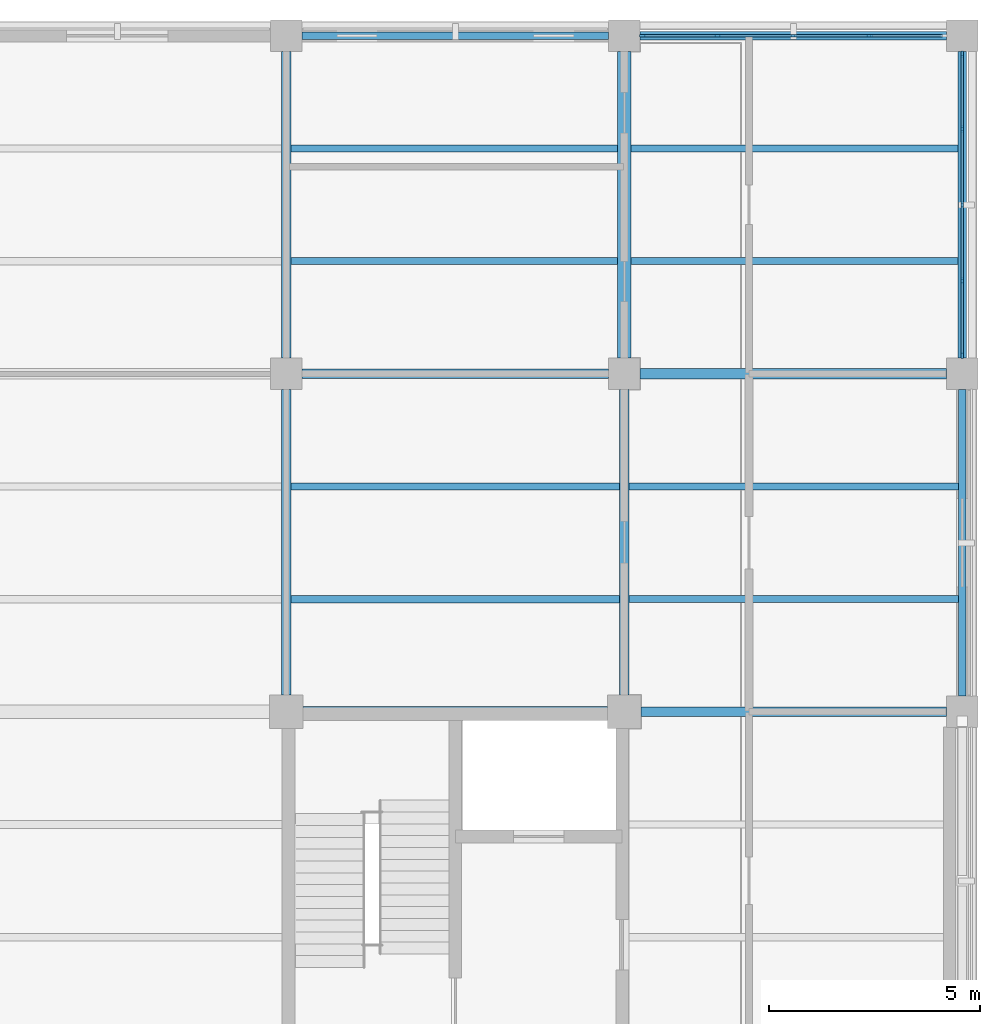
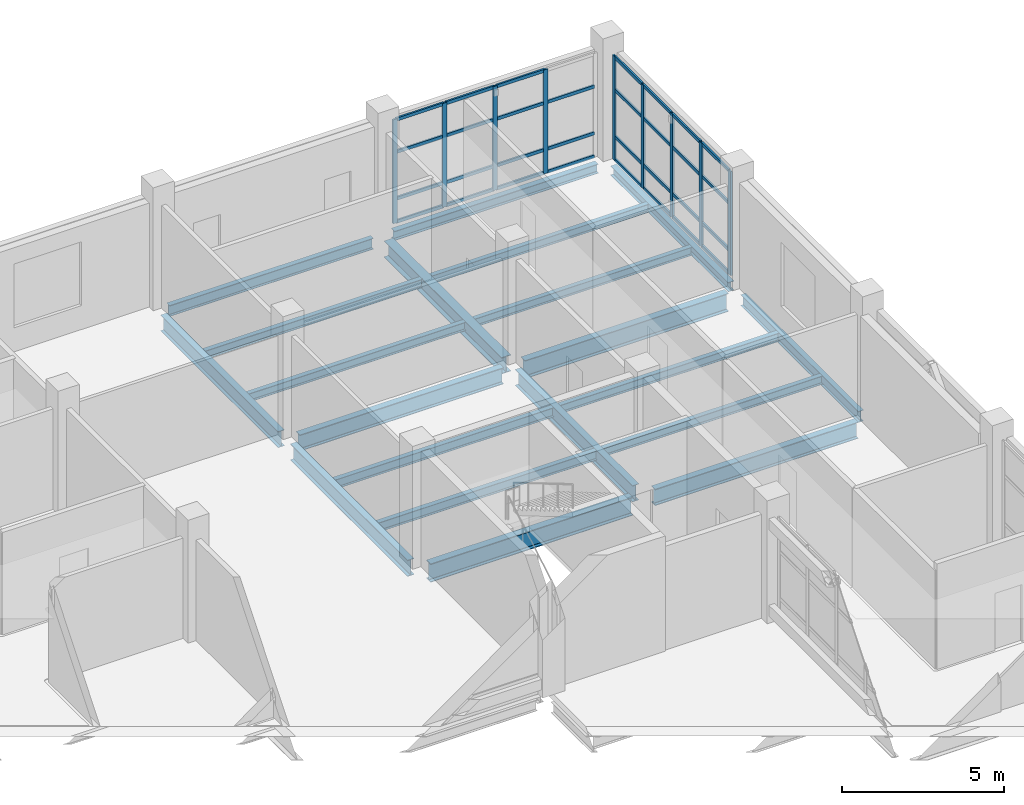
# One storey, part 58 of 121: 40 members, 20 beams, 2 elements without a shape of their own.
"""IFC4 building model written with IfcOpenShell, lengths in metres."""

from ifc_helpers import new_model, si_unit, derived_unit, direction, frame, origin, origin_2d, place, context, subcontext, project, spatial, rectangle, i_section, extrude, material, layer, layer_set, material_profile, profile_set, type_object, element, aggregate, save


model = new_model("IFC4")

# Units and contexts
model_context = context("Model", 3, precision=1e-05, world=origin(), true_north=direction((0.0, 1.0)))
body_context = subcontext(model_context, "Body", "Model", "MODEL_VIEW")
ifc_project = project(units=[si_unit("LENGTHUNIT", "METRE"), si_unit("AREAUNIT", "SQUARE_METRE"), si_unit("VOLUMEUNIT", "CUBIC_METRE"), si_unit("PLANEANGLEUNIT", "RADIAN"), si_unit("MASSUNIT", "GRAM", prefix="KILO"), derived_unit("THERMALTRANSMITTANCEUNIT", [(si_unit("MASSUNIT", "GRAM", prefix="KILO"), 1), (si_unit("TIMEUNIT", "SECOND"), -3), (si_unit("THERMODYNAMICTEMPERATUREUNIT", "KELVIN"), -1)])], contexts=[model_context])

# Site, building, storey
site_placement = place(None, origin())
site = spatial("IfcSite", under=ifc_project, at=site_placement, CompositionType="ELEMENT")
building_placement = place(site_placement, origin())
building = spatial("IfcBuilding", under=site, at=building_placement, Name="Veyamyaing Civic Hall", CompositionType="ELEMENT")
storey_placement = place(building_placement, frame((0.0, 0.0, 5.280029296875)))
storey = spatial("IfcBuildingStorey", under=building, at=storey_placement, Name="L01", CompositionType="ELEMENT", Elevation=5.280029296875)

# Beams
ifc_material_1 = material(Name="Steel ASTM A992", Category="steel")
ifc_material_profile_1 = material_profile(ifc_material_1, i_section(OverallWidth=0.256103515625, OverallDepth=0.693115234375, WebThickness=0.014404296875, FlangeThickness=0.023681640625, FilletRadius=0.013916015625, at=origin_2d()), Name="W690X170")
ifc_profile_set_1 = profile_set([ifc_material_profile_1], Name="Steel ASTM A992")
beam_type_1 = type_object("IfcBeamType", Name="B-04", PredefinedType="BEAM", material=ifc_profile_set_1)
beam_1_placement = place(storey_placement, frame((160.39990234375, 96.0, -0.591552734375), z_axis=(1.0, 0.0, 0.0), x_axis=(0.0, 1.0, 0.0)))
element("IfcBeam", 1, at=beam_1_placement, inside=storey, type_object=beam_type_1, Name="Girder B-04 L01 Grid N 21-22", PredefinedType="BEAM", context=body_context, shape_type="SweptSolid", body=[
    extrude(i_section(OverallWidth=0.256103515625, OverallDepth=0.693115234375, WebThickness=0.014404296875, FlangeThickness=0.023681640625, FilletRadius=0.013916015625, at=origin_2d()), origin(), (0.0, 0.0, 1.0), 7.2001953125),
])
ifc_material_profile_2 = material_profile(ifc_material_1, i_section(OverallWidth=0.22998046875, OverallDepth=0.616943359375, WebThickness=0.01318359375, FlangeThickness=0.022216796875, FilletRadius=0.012939453125, at=origin_2d()), Name="W610X140")
ifc_profile_set_2 = profile_set([ifc_material_profile_2], Name="Steel ASTM A992")
beam_type_2 = type_object("IfcBeamType", Name="B-05", PredefinedType="BEAM", material=ifc_profile_set_2)
beam_2_placement = place(storey_placement, frame((168.39990234375, 96.0, -0.553466796875), z_axis=(1.0, 0.0, 0.0), x_axis=(0.0, 1.0, 0.0)))
element("IfcBeam", 2, at=beam_2_placement, inside=storey, type_object=beam_type_2, Name="Girder B-05 L01 Grid N 22-23", PredefinedType="BEAM", context=body_context, shape_type="SweptSolid", body=[
    extrude(i_section(OverallWidth=0.22998046875, OverallDepth=0.616943359375, WebThickness=0.01318359375, FlangeThickness=0.022216796875, FilletRadius=0.012939453125, at=origin_2d()), origin(), (0.0, 0.0, 1.0), 7.22509765625),
])
beam_3_placement = place(storey_placement, frame((160.375, 104.0, -0.553466796875), z_axis=(1.0, 0.0, 0.0), x_axis=(0.0, 1.0, 0.0)))
element("IfcBeam", 3, at=beam_3_placement, inside=storey, type_object=beam_type_2, Name="Girder B-05 L01 Grid P 21-22", PredefinedType="BEAM", context=body_context, shape_type="SweptSolid", body=[
    extrude(i_section(OverallWidth=0.22998046875, OverallDepth=0.616943359375, WebThickness=0.01318359375, FlangeThickness=0.022216796875, FilletRadius=0.012939453125, at=origin_2d()), origin(), (0.0, 0.0, 1.0), 7.25),
])
beam_4_placement = place(storey_placement, frame((160.0, 96.39990234375, -0.553466796875), z_axis=(0.0, 1.0, 0.0), x_axis=(-1.0, 0.0, 0.0)))
element("IfcBeam", 4, at=beam_4_placement, inside=storey, type_object=beam_type_2, Name="Girder B-05 L01 Grid 21 N-P", PredefinedType="BEAM", context=body_context, shape_type="SweptSolid", body=[
    extrude(i_section(OverallWidth=0.22998046875, OverallDepth=0.616943359375, WebThickness=0.01318359375, FlangeThickness=0.022216796875, FilletRadius=0.012939453125, at=origin_2d()), origin(), (0.0, 0.0, 1.0), 7.22509765625),
])
ifc_material_profile_3 = material_profile(ifc_material_1, i_section(OverallWidth=0.22802734375, OverallDepth=0.60791015625, WebThickness=0.01123046875, FlangeThickness=0.017333984375, FilletRadius=0.012939453125, at=origin_2d()), Name="W610X113")
ifc_profile_set_3 = profile_set([ifc_material_profile_3], Name="Steel ASTM A992")
beam_type_3 = type_object("IfcBeamType", Name="B-06", PredefinedType="BEAM", material=ifc_profile_set_3)
beam_5_placement = place(storey_placement, frame((160.0, 104.375, -0.549072265625), z_axis=(0.0, 1.0, 0.0), x_axis=(-1.0, 0.0, 0.0)))
element("IfcBeam", 5, at=beam_5_placement, inside=storey, type_object=beam_type_3, Name="Girder B-06 L01 Grid 21 P-Q", PredefinedType="BEAM", context=body_context, shape_type="SweptSolid", body=[
    extrude(i_section(OverallWidth=0.22802734375, OverallDepth=0.60791015625, WebThickness=0.01123046875, FlangeThickness=0.017333984375, FilletRadius=0.012939453125, at=origin_2d()), origin(), (0.0, 0.0, 1.0), 7.25),
])
beam_6_placement = place(storey_placement, frame((168.0, 96.39990234375, -0.549072265625), z_axis=(0.0, 1.0, 0.0), x_axis=(-1.0, 0.0, 0.0)))
element("IfcBeam", 6, at=beam_6_placement, inside=storey, type_object=beam_type_3, Name="Girder B-06 L01 Grid 22 N-P", PredefinedType="BEAM", context=body_context, shape_type="SweptSolid", body=[
    extrude(i_section(OverallWidth=0.22802734375, OverallDepth=0.60791015625, WebThickness=0.01123046875, FlangeThickness=0.017333984375, FilletRadius=0.012939453125, at=origin_2d()), origin(), (0.0, 0.0, 1.0), 7.22509765625),
])
ifc_material_profile_4 = material_profile(ifc_material_1, i_section(OverallWidth=0.179931640625, OverallDepth=0.4130859375, WebThickness=0.009765625, FlangeThickness=0.01611328125, FilletRadius=0.010009765625, at=origin_2d()), Name="W410X74")
ifc_profile_set_4 = profile_set([ifc_material_profile_4], Name="Steel ASTM A992")
beam_type_4 = type_object("IfcBeamType", Name="B-10", PredefinedType="SPANDREL", material=ifc_profile_set_4)
for number, where, z_axis, x_axis, name in (
    (7, (160.375, 112.0, -0.451416015625), (1.0, 0.0, 0.0), (0.0, 1.0, 0.0), "Girder B-10 L01 Grid Q 21-22"),
    (8, (176.0, 96.375, -0.451416015625), (0.0, 1.0, 0.0), (-1.0, 0.0, 0.0), "Girder B-10 L01 Grid 23 N-P"),
):
    element("IfcBeam", number, at=place(storey_placement, frame(where, z_axis=z_axis, x_axis=x_axis)), inside=storey, type_object=beam_type_4, Name=name, PredefinedType="SPANDREL", context=body_context, shape_type="SweptSolid", body=[
        extrude(i_section(OverallWidth=0.179931640625, OverallDepth=0.4130859375, WebThickness=0.009765625, FlangeThickness=0.01611328125, FilletRadius=0.010009765625, at=origin_2d()), origin(), (0.0, 0.0, 1.0), 7.25),
    ])
ifc_material_profile_5 = material_profile(ifc_material_1, i_section(OverallWidth=0.2041015625, OverallDepth=0.35009765625, WebThickness=0.0078125, FlangeThickness=0.01513671875, FilletRadius=0.010009765625, at=origin_2d()), Name="W360X72")
ifc_profile_set_5 = profile_set([ifc_material_profile_5], Name="Steel ASTM A992")
beam_type_5 = type_object("IfcBeamType", Name="B-11", PredefinedType="SPANDREL", material=ifc_profile_set_5)
for number, where, z_axis, x_axis, name in (
    (9, (168.375, 112.0, -0.419921875), (1.0, 0.0, 0.0), (0.0, 1.0, 0.0), "Girder B-11 L01 Grid Q 22-23"),
    (10, (176.0, 104.375, -0.419921875), (0.0, 1.0, 0.0), (-1.0, 0.0, 0.0), "Girder B-11 L01 Grid 23 P-Q"),
):
    element("IfcBeam", number, at=place(storey_placement, frame(where, z_axis=z_axis, x_axis=x_axis)), inside=storey, type_object=beam_type_5, Name=name, PredefinedType="SPANDREL", context=body_context, shape_type="SweptSolid", body=[
        extrude(i_section(OverallWidth=0.2041015625, OverallDepth=0.35009765625, WebThickness=0.0078125, FlangeThickness=0.01513671875, FilletRadius=0.010009765625, at=origin_2d()), origin(), (0.0, 0.0, 1.0), 7.25),
    ])
ifc_material_profile_6 = material_profile(ifc_material_1, i_section(OverallWidth=0.25390625, OverallDepth=0.68408203125, WebThickness=0.012451171875, FlangeThickness=0.01904296875, FilletRadius=0.013916015625, at=origin_2d()), Name="W690X140")
ifc_profile_set_6 = profile_set([ifc_material_profile_6], Name="Steel ASTM A992")
beam_type_6 = type_object("IfcBeamType", Name="B-14", PredefinedType="BEAM", material=ifc_profile_set_6)
beam_7_placement = place(storey_placement, frame((168.375, 104.0, -0.5869140625), z_axis=(1.0, 0.0, 0.0), x_axis=(0.0, 1.0, 0.0)))
element("IfcBeam", 11, at=beam_7_placement, inside=storey, type_object=beam_type_6, Name="Girder B-14 L01 Grid P 22-23", PredefinedType="BEAM", context=body_context, shape_type="SweptSolid", body=[
    extrude(i_section(OverallWidth=0.25390625, OverallDepth=0.68408203125, WebThickness=0.012451171875, FlangeThickness=0.01904296875, FilletRadius=0.013916015625, at=origin_2d()), origin(), (0.0, 0.0, 1.0), 7.25),
])
ifc_material_profile_7 = material_profile(ifc_material_1, i_section(OverallWidth=0.324951171875, OverallDepth=0.615966796875, WebThickness=0.013916015625, FlangeThickness=0.021484375, FilletRadius=0.013916015625, at=origin_2d()), Name="W610X174")
ifc_profile_set_7 = profile_set([ifc_material_profile_7], Name="Steel ASTM A992")
beam_type_7 = type_object("IfcBeamType", Name="B-15", PredefinedType="BEAM", material=ifc_profile_set_7)
beam_8_placement = place(storey_placement, frame((168.0, 104.375, -0.552978515625), z_axis=(0.0, 1.0, 0.0), x_axis=(-1.0, 0.0, 0.0)))
element("IfcBeam", 12, at=beam_8_placement, inside=storey, type_object=beam_type_7, Name="Girder B-15 L01 Grid 22 P-Q", PredefinedType="BEAM", context=body_context, shape_type="SweptSolid", body=[
    extrude(i_section(OverallWidth=0.324951171875, OverallDepth=0.615966796875, WebThickness=0.013916015625, FlangeThickness=0.021484375, FilletRadius=0.013916015625, at=origin_2d()), origin(), (0.0, 0.0, 1.0), 7.25),
])

# Curtain wall, members
ifc_material_2 = material(Name="Anodised aluminium 6063-T6", Category="aluminium")
ifc_layer = layer(ifc_material_2, 0.159912109375, Name="Anodised aluminium 6063-T6")
ifc_layer_set = layer_set([ifc_layer], Name="Anodised aluminium 6063-T6")
curtain_wall_type = type_object("IfcCurtainWallType", Name="CW-02", PredefinedType="NOTDEFINED", material=ifc_layer_set)
curtain_wall_1_placement = place(storey_placement, origin())
curtain_wall_1 = element("IfcCurtainWall", 13, at=curtain_wall_1_placement, inside=storey, type_object=curtain_wall_type, Name="Unitized curtain wall CW-02 L01 N 22.14", PredefinedType="NOTDEFINED")
ifc_material_profile_8 = material_profile(ifc_material_2, rectangle(XDim=0.06494140625, YDim=0.159912109375, at=origin_2d()), Name="ALU-MUL-65X160")
ifc_profile_set_8 = profile_set([ifc_material_profile_8], Name="Anodised aluminium 6063-T6")
member_type_1 = type_object("IfcMemberType", Name="CWM-01", PredefinedType="MULLION", material=ifc_profile_set_8)
member_1_placement = place(storey_placement, frame((168.4375, 112.0, 0.0), z_axis=(0.0, 0.0, 1.0), x_axis=(0.0, 1.0, 0.0)))
member_1 = element("IfcMember", 14, at=member_1_placement, type_object=member_type_1, Name="CW-02 mullion 1", PredefinedType="MULLION", context=body_context, shape_type="SweptSolid", body=[
    extrude(rectangle(XDim=0.06494140625, YDim=0.159912109375, at=origin_2d()), origin(), (0.0, 0.0, 1.0), 3.909912109375),
])
member_2_placement = place(storey_placement, frame((170.202392578125, 112.0, 0.0), z_axis=(0.0, 0.0, 1.0), x_axis=(0.0, 1.0, 0.0)))
member_2 = element("IfcMember", 15, at=member_2_placement, type_object=member_type_1, Name="CW-02 mullion 2", PredefinedType="MULLION", context=body_context, shape_type="SweptSolid", body=[
    extrude(rectangle(XDim=0.06494140625, YDim=0.159912109375, at=origin_2d()), origin(), (0.0, 0.0, 1.0), 3.909912109375),
])
member_3_placement = place(storey_placement, frame((172.0, 112.0, 0.0), z_axis=(0.0, 0.0, 1.0), x_axis=(0.0, 1.0, 0.0)))
member_3 = element("IfcMember", 16, at=member_3_placement, type_object=member_type_1, Name="CW-02 mullion 3", PredefinedType="MULLION", context=body_context, shape_type="SweptSolid", body=[
    extrude(rectangle(XDim=0.06494140625, YDim=0.159912109375, at=origin_2d()), origin(), (0.0, 0.0, 1.0), 3.909912109375),
])
member_4_placement = place(storey_placement, frame((173.797607421875, 112.0, 0.0), z_axis=(0.0, 0.0, 1.0), x_axis=(0.0, 1.0, 0.0)))
member_4 = element("IfcMember", 17, at=member_4_placement, type_object=member_type_1, Name="CW-02 mullion 4", PredefinedType="MULLION", context=body_context, shape_type="SweptSolid", body=[
    extrude(rectangle(XDim=0.06494140625, YDim=0.159912109375, at=origin_2d()), origin(), (0.0, 0.0, 1.0), 3.909912109375),
])

curtain_wall_2_placement = place(storey_placement, origin())
curtain_wall_2 = element("IfcCurtainWall", 18, at=curtain_wall_2_placement, inside=storey, type_object=curtain_wall_type, Name="Unitized curtain wall CW-02 L01 E 22.14", PredefinedType="NOTDEFINED")
member_5_placement = place(storey_placement, frame((176.0, 104.4375, 0.0), z_axis=(0.0, 0.0, 1.0), x_axis=(-1.0, 0.0, 0.0)))
member_5 = element("IfcMember", 19, at=member_5_placement, type_object=member_type_1, Name="CW-02 mullion 1", PredefinedType="MULLION", context=body_context, shape_type="SweptSolid", body=[
    extrude(rectangle(XDim=0.06494140625, YDim=0.159912109375, at=origin_2d()), origin(), (0.0, 0.0, 1.0), 3.909912109375),
])
member_6_placement = place(storey_placement, frame((176.0, 106.202392578125, 0.0), z_axis=(0.0, 0.0, 1.0), x_axis=(-1.0, 0.0, 0.0)))
member_6 = element("IfcMember", 20, at=member_6_placement, type_object=member_type_1, Name="CW-02 mullion 2", PredefinedType="MULLION", context=body_context, shape_type="SweptSolid", body=[
    extrude(rectangle(XDim=0.06494140625, YDim=0.159912109375, at=origin_2d()), origin(), (0.0, 0.0, 1.0), 3.909912109375),
])
member_7_placement = place(storey_placement, frame((176.0, 108.0, 0.0), z_axis=(0.0, 0.0, 1.0), x_axis=(-1.0, 0.0, 0.0)))
member_7 = element("IfcMember", 21, at=member_7_placement, type_object=member_type_1, Name="CW-02 mullion 3", PredefinedType="MULLION", context=body_context, shape_type="SweptSolid", body=[
    extrude(rectangle(XDim=0.06494140625, YDim=0.159912109375, at=origin_2d()), origin(), (0.0, 0.0, 1.0), 3.909912109375),
])
member_8_placement = place(storey_placement, frame((176.0, 109.797607421875, 0.0), z_axis=(0.0, 0.0, 1.0), x_axis=(-1.0, 0.0, 0.0)))
member_8 = element("IfcMember", 22, at=member_8_placement, type_object=member_type_1, Name="CW-02 mullion 4", PredefinedType="MULLION", context=body_context, shape_type="SweptSolid", body=[
    extrude(rectangle(XDim=0.06494140625, YDim=0.159912109375, at=origin_2d()), origin(), (0.0, 0.0, 1.0), 3.909912109375),
])
member_9_placement = place(storey_placement, frame((176.0, 111.5625, 0.0), z_axis=(0.0, 0.0, 1.0), x_axis=(-1.0, 0.0, 0.0)))
member_9 = element("IfcMember", 23, at=member_9_placement, type_object=member_type_1, Name="CW-02 mullion 5", PredefinedType="MULLION", context=body_context, shape_type="SweptSolid", body=[
    extrude(rectangle(XDim=0.06494140625, YDim=0.159912109375, at=origin_2d()), origin(), (0.0, 0.0, 1.0), 3.909912109375),
])

# Member
ifc_material_profile_9 = material_profile(ifc_material_2, rectangle(XDim=0.06494140625, YDim=0.1201171875, at=origin_2d()), Name="ALU-TRN-65X120")
ifc_profile_set_9 = profile_set([ifc_material_profile_9], Name="Anodised aluminium 6063-T6")
member_type_2 = type_object("IfcMemberType", Name="CWT-01", PredefinedType="USERDEFINED", material=ifc_profile_set_9)
member_10_placement = place(storey_placement, frame((168.469970703125, 112.0, 0.032470703125), z_axis=(1.0, 0.0, 0.0), x_axis=(0.0, 1.0, 0.0)))
member_10 = element("IfcMember", 24, at=member_10_placement, type_object=member_type_2, Name="CW-02 transom 1.1", ObjectType="TRANSOM", PredefinedType="USERDEFINED", context=body_context, shape_type="SweptSolid", body=[
    extrude(rectangle(XDim=0.06494140625, YDim=0.1201171875, at=origin_2d()), origin(), (0.0, 0.0, 1.0), 1.699951171875),
])

member_11_placement = place(storey_placement, frame((168.469970703125, 112.0, 0.89990234375), z_axis=(1.0, 0.0, 0.0), x_axis=(0.0, 1.0, 0.0)))
member_11 = element("IfcMember", 25, at=member_11_placement, type_object=member_type_2, Name="CW-02 transom 1.2", ObjectType="TRANSOM", PredefinedType="USERDEFINED", context=body_context, shape_type="SweptSolid", body=[
    extrude(rectangle(XDim=0.06494140625, YDim=0.1201171875, at=origin_2d()), origin(), (0.0, 0.0, 1.0), 1.699951171875),
])

member_12_placement = place(storey_placement, frame((168.469970703125, 112.0, 2.65869140625), z_axis=(1.0, 0.0, 0.0), x_axis=(0.0, 1.0, 0.0)))
member_12 = element("IfcMember", 26, at=member_12_placement, type_object=member_type_2, Name="CW-02 transom 1.3", ObjectType="TRANSOM", PredefinedType="USERDEFINED", context=body_context, shape_type="SweptSolid", body=[
    extrude(rectangle(XDim=0.06494140625, YDim=0.1201171875, at=origin_2d()), origin(), (0.0, 0.0, 1.0), 1.699951171875),
])

member_13_placement = place(storey_placement, frame((168.469970703125, 112.0, 3.87744140625), z_axis=(1.0, 0.0, 0.0), x_axis=(0.0, 1.0, 0.0)))
member_13 = element("IfcMember", 27, at=member_13_placement, type_object=member_type_2, Name="CW-02 transom 1.4", ObjectType="TRANSOM", PredefinedType="USERDEFINED", context=body_context, shape_type="SweptSolid", body=[
    extrude(rectangle(XDim=0.06494140625, YDim=0.1201171875, at=origin_2d()), origin(), (0.0, 0.0, 1.0), 1.699951171875),
])

member_14_placement = place(storey_placement, frame((170.235107421875, 112.0, 0.032470703125), z_axis=(1.0, 0.0, 0.0), x_axis=(0.0, 1.0, 0.0)))
member_14 = element("IfcMember", 28, at=member_14_placement, type_object=member_type_2, Name="CW-02 transom 2.1", ObjectType="TRANSOM", PredefinedType="USERDEFINED", context=body_context, shape_type="SweptSolid", body=[
    extrude(rectangle(XDim=0.06494140625, YDim=0.1201171875, at=origin_2d()), origin(), (0.0, 0.0, 1.0), 1.732421875),
])

member_15_placement = place(storey_placement, frame((170.235107421875, 112.0, 0.89990234375), z_axis=(1.0, 0.0, 0.0), x_axis=(0.0, 1.0, 0.0)))
member_15 = element("IfcMember", 29, at=member_15_placement, type_object=member_type_2, Name="CW-02 transom 2.2", ObjectType="TRANSOM", PredefinedType="USERDEFINED", context=body_context, shape_type="SweptSolid", body=[
    extrude(rectangle(XDim=0.06494140625, YDim=0.1201171875, at=origin_2d()), origin(), (0.0, 0.0, 1.0), 1.732421875),
])

member_16_placement = place(storey_placement, frame((170.235107421875, 112.0, 2.65869140625), z_axis=(1.0, 0.0, 0.0), x_axis=(0.0, 1.0, 0.0)))
member_16 = element("IfcMember", 30, at=member_16_placement, type_object=member_type_2, Name="CW-02 transom 2.3", ObjectType="TRANSOM", PredefinedType="USERDEFINED", context=body_context, shape_type="SweptSolid", body=[
    extrude(rectangle(XDim=0.06494140625, YDim=0.1201171875, at=origin_2d()), origin(), (0.0, 0.0, 1.0), 1.732421875),
])

member_17_placement = place(storey_placement, frame((170.235107421875, 112.0, 3.87744140625), z_axis=(1.0, 0.0, 0.0), x_axis=(0.0, 1.0, 0.0)))
member_17 = element("IfcMember", 31, at=member_17_placement, type_object=member_type_2, Name="CW-02 transom 2.4", ObjectType="TRANSOM", PredefinedType="USERDEFINED", context=body_context, shape_type="SweptSolid", body=[
    extrude(rectangle(XDim=0.06494140625, YDim=0.1201171875, at=origin_2d()), origin(), (0.0, 0.0, 1.0), 1.732421875),
])

member_18_placement = place(storey_placement, frame((172.032470703125, 112.0, 0.032470703125), z_axis=(1.0, 0.0, 0.0), x_axis=(0.0, 1.0, 0.0)))
member_18 = element("IfcMember", 32, at=member_18_placement, type_object=member_type_2, Name="CW-02 transom 3.1", ObjectType="TRANSOM", PredefinedType="USERDEFINED", context=body_context, shape_type="SweptSolid", body=[
    extrude(rectangle(XDim=0.06494140625, YDim=0.1201171875, at=origin_2d()), origin(), (0.0, 0.0, 1.0), 1.732421875),
])

member_19_placement = place(storey_placement, frame((172.032470703125, 112.0, 0.89990234375), z_axis=(1.0, 0.0, 0.0), x_axis=(0.0, 1.0, 0.0)))
member_19 = element("IfcMember", 33, at=member_19_placement, type_object=member_type_2, Name="CW-02 transom 3.2", ObjectType="TRANSOM", PredefinedType="USERDEFINED", context=body_context, shape_type="SweptSolid", body=[
    extrude(rectangle(XDim=0.06494140625, YDim=0.1201171875, at=origin_2d()), origin(), (0.0, 0.0, 1.0), 1.732421875),
])

member_20_placement = place(storey_placement, frame((172.032470703125, 112.0, 2.65869140625), z_axis=(1.0, 0.0, 0.0), x_axis=(0.0, 1.0, 0.0)))
member_20 = element("IfcMember", 34, at=member_20_placement, type_object=member_type_2, Name="CW-02 transom 3.3", ObjectType="TRANSOM", PredefinedType="USERDEFINED", context=body_context, shape_type="SweptSolid", body=[
    extrude(rectangle(XDim=0.06494140625, YDim=0.1201171875, at=origin_2d()), origin(), (0.0, 0.0, 1.0), 1.732421875),
])

member_21_placement = place(storey_placement, frame((172.032470703125, 112.0, 3.87744140625), z_axis=(1.0, 0.0, 0.0), x_axis=(0.0, 1.0, 0.0)))
member_21 = element("IfcMember", 35, at=member_21_placement, type_object=member_type_2, Name="CW-02 transom 3.4", ObjectType="TRANSOM", PredefinedType="USERDEFINED", context=body_context, shape_type="SweptSolid", body=[
    extrude(rectangle(XDim=0.06494140625, YDim=0.1201171875, at=origin_2d()), origin(), (0.0, 0.0, 1.0), 1.732421875),
])

member_22_placement = place(storey_placement, frame((173.830078125, 112.0, 0.032470703125), z_axis=(1.0, 0.0, 0.0), x_axis=(0.0, 1.0, 0.0)))
member_22 = element("IfcMember", 36, at=member_22_placement, type_object=member_type_2, Name="CW-02 transom 4.1", ObjectType="TRANSOM", PredefinedType="USERDEFINED", context=body_context, shape_type="SweptSolid", body=[
    extrude(rectangle(XDim=0.06494140625, YDim=0.1201171875, at=origin_2d()), origin(), (0.0, 0.0, 1.0), 1.699951171875),
])

member_23_placement = place(storey_placement, frame((173.830078125, 112.0, 0.89990234375), z_axis=(1.0, 0.0, 0.0), x_axis=(0.0, 1.0, 0.0)))
member_23 = element("IfcMember", 37, at=member_23_placement, type_object=member_type_2, Name="CW-02 transom 4.2", ObjectType="TRANSOM", PredefinedType="USERDEFINED", context=body_context, shape_type="SweptSolid", body=[
    extrude(rectangle(XDim=0.06494140625, YDim=0.1201171875, at=origin_2d()), origin(), (0.0, 0.0, 1.0), 1.699951171875),
])

member_24_placement = place(storey_placement, frame((173.830078125, 112.0, 2.65869140625), z_axis=(1.0, 0.0, 0.0), x_axis=(0.0, 1.0, 0.0)))
member_24 = element("IfcMember", 38, at=member_24_placement, type_object=member_type_2, Name="CW-02 transom 4.3", ObjectType="TRANSOM", PredefinedType="USERDEFINED", context=body_context, shape_type="SweptSolid", body=[
    extrude(rectangle(XDim=0.06494140625, YDim=0.1201171875, at=origin_2d()), origin(), (0.0, 0.0, 1.0), 1.699951171875),
])

aggregate(curtain_wall_1, [member_1, member_2, member_3, member_4, member_10, member_11, member_12, member_13, member_14, member_15, member_16, member_17, member_18, member_19, member_20, member_21, member_22, member_23, member_24])

member_25_placement = place(storey_placement, frame((176.0, 104.469970703125, 0.032470703125), z_axis=(0.0, 1.0, 0.0), x_axis=(-1.0, 0.0, 0.0)))
member_25 = element("IfcMember", 39, at=member_25_placement, type_object=member_type_2, Name="CW-02 transom 1.1", ObjectType="TRANSOM", PredefinedType="USERDEFINED", context=body_context, shape_type="SweptSolid", body=[
    extrude(rectangle(XDim=0.06494140625, YDim=0.1201171875, at=origin_2d()), origin(), (0.0, 0.0, 1.0), 1.699951171875),
])

member_26_placement = place(storey_placement, frame((176.0, 104.469970703125, 0.89990234375), z_axis=(0.0, 1.0, 0.0), x_axis=(-1.0, 0.0, 0.0)))
member_26 = element("IfcMember", 40, at=member_26_placement, type_object=member_type_2, Name="CW-02 transom 1.2", ObjectType="TRANSOM", PredefinedType="USERDEFINED", context=body_context, shape_type="SweptSolid", body=[
    extrude(rectangle(XDim=0.06494140625, YDim=0.1201171875, at=origin_2d()), origin(), (0.0, 0.0, 1.0), 1.699951171875),
])

member_27_placement = place(storey_placement, frame((176.0, 104.469970703125, 2.65869140625), z_axis=(0.0, 1.0, 0.0), x_axis=(-1.0, 0.0, 0.0)))
member_27 = element("IfcMember", 41, at=member_27_placement, type_object=member_type_2, Name="CW-02 transom 1.3", ObjectType="TRANSOM", PredefinedType="USERDEFINED", context=body_context, shape_type="SweptSolid", body=[
    extrude(rectangle(XDim=0.06494140625, YDim=0.1201171875, at=origin_2d()), origin(), (0.0, 0.0, 1.0), 1.699951171875),
])

member_28_placement = place(storey_placement, frame((176.0, 104.469970703125, 3.87744140625), z_axis=(0.0, 1.0, 0.0), x_axis=(-1.0, 0.0, 0.0)))
member_28 = element("IfcMember", 42, at=member_28_placement, type_object=member_type_2, Name="CW-02 transom 1.4", ObjectType="TRANSOM", PredefinedType="USERDEFINED", context=body_context, shape_type="SweptSolid", body=[
    extrude(rectangle(XDim=0.06494140625, YDim=0.1201171875, at=origin_2d()), origin(), (0.0, 0.0, 1.0), 1.699951171875),
])

member_29_placement = place(storey_placement, frame((176.0, 106.235107421875, 0.032470703125), z_axis=(0.0, 1.0, 0.0), x_axis=(-1.0, 0.0, 0.0)))
member_29 = element("IfcMember", 43, at=member_29_placement, type_object=member_type_2, Name="CW-02 transom 2.1", ObjectType="TRANSOM", PredefinedType="USERDEFINED", context=body_context, shape_type="SweptSolid", body=[
    extrude(rectangle(XDim=0.06494140625, YDim=0.1201171875, at=origin_2d()), origin(), (0.0, 0.0, 1.0), 1.732421875),
])

member_30_placement = place(storey_placement, frame((176.0, 106.235107421875, 0.89990234375), z_axis=(0.0, 1.0, 0.0), x_axis=(-1.0, 0.0, 0.0)))
member_30 = element("IfcMember", 44, at=member_30_placement, type_object=member_type_2, Name="CW-02 transom 2.2", ObjectType="TRANSOM", PredefinedType="USERDEFINED", context=body_context, shape_type="SweptSolid", body=[
    extrude(rectangle(XDim=0.06494140625, YDim=0.1201171875, at=origin_2d()), origin(), (0.0, 0.0, 1.0), 1.732421875),
])

member_31_placement = place(storey_placement, frame((176.0, 106.235107421875, 2.65869140625), z_axis=(0.0, 1.0, 0.0), x_axis=(-1.0, 0.0, 0.0)))
member_31 = element("IfcMember", 45, at=member_31_placement, type_object=member_type_2, Name="CW-02 transom 2.3", ObjectType="TRANSOM", PredefinedType="USERDEFINED", context=body_context, shape_type="SweptSolid", body=[
    extrude(rectangle(XDim=0.06494140625, YDim=0.1201171875, at=origin_2d()), origin(), (0.0, 0.0, 1.0), 1.732421875),
])

member_32_placement = place(storey_placement, frame((176.0, 106.235107421875, 3.87744140625), z_axis=(0.0, 1.0, 0.0), x_axis=(-1.0, 0.0, 0.0)))
member_32 = element("IfcMember", 46, at=member_32_placement, type_object=member_type_2, Name="CW-02 transom 2.4", ObjectType="TRANSOM", PredefinedType="USERDEFINED", context=body_context, shape_type="SweptSolid", body=[
    extrude(rectangle(XDim=0.06494140625, YDim=0.1201171875, at=origin_2d()), origin(), (0.0, 0.0, 1.0), 1.732421875),
])

member_33_placement = place(storey_placement, frame((176.0, 108.032470703125, 0.032470703125), z_axis=(0.0, 1.0, 0.0), x_axis=(-1.0, 0.0, 0.0)))
member_33 = element("IfcMember", 47, at=member_33_placement, type_object=member_type_2, Name="CW-02 transom 3.1", ObjectType="TRANSOM", PredefinedType="USERDEFINED", context=body_context, shape_type="SweptSolid", body=[
    extrude(rectangle(XDim=0.06494140625, YDim=0.1201171875, at=origin_2d()), origin(), (0.0, 0.0, 1.0), 1.732421875),
])

member_34_placement = place(storey_placement, frame((176.0, 108.032470703125, 0.89990234375), z_axis=(0.0, 1.0, 0.0), x_axis=(-1.0, 0.0, 0.0)))
member_34 = element("IfcMember", 48, at=member_34_placement, type_object=member_type_2, Name="CW-02 transom 3.2", ObjectType="TRANSOM", PredefinedType="USERDEFINED", context=body_context, shape_type="SweptSolid", body=[
    extrude(rectangle(XDim=0.06494140625, YDim=0.1201171875, at=origin_2d()), origin(), (0.0, 0.0, 1.0), 1.732421875),
])

member_35_placement = place(storey_placement, frame((176.0, 108.032470703125, 2.65869140625), z_axis=(0.0, 1.0, 0.0), x_axis=(-1.0, 0.0, 0.0)))
member_35 = element("IfcMember", 49, at=member_35_placement, type_object=member_type_2, Name="CW-02 transom 3.3", ObjectType="TRANSOM", PredefinedType="USERDEFINED", context=body_context, shape_type="SweptSolid", body=[
    extrude(rectangle(XDim=0.06494140625, YDim=0.1201171875, at=origin_2d()), origin(), (0.0, 0.0, 1.0), 1.732421875),
])

member_36_placement = place(storey_placement, frame((176.0, 108.032470703125, 3.87744140625), z_axis=(0.0, 1.0, 0.0), x_axis=(-1.0, 0.0, 0.0)))
member_36 = element("IfcMember", 50, at=member_36_placement, type_object=member_type_2, Name="CW-02 transom 3.4", ObjectType="TRANSOM", PredefinedType="USERDEFINED", context=body_context, shape_type="SweptSolid", body=[
    extrude(rectangle(XDim=0.06494140625, YDim=0.1201171875, at=origin_2d()), origin(), (0.0, 0.0, 1.0), 1.732421875),
])

member_37_placement = place(storey_placement, frame((176.0, 109.830078125, 0.032470703125), z_axis=(0.0, 1.0, 0.0), x_axis=(-1.0, 0.0, 0.0)))
member_37 = element("IfcMember", 51, at=member_37_placement, type_object=member_type_2, Name="CW-02 transom 4.1", ObjectType="TRANSOM", PredefinedType="USERDEFINED", context=body_context, shape_type="SweptSolid", body=[
    extrude(rectangle(XDim=0.06494140625, YDim=0.1201171875, at=origin_2d()), origin(), (0.0, 0.0, 1.0), 1.699951171875),
])

member_38_placement = place(storey_placement, frame((176.0, 109.830078125, 0.89990234375), z_axis=(0.0, 1.0, 0.0), x_axis=(-1.0, 0.0, 0.0)))
member_38 = element("IfcMember", 52, at=member_38_placement, type_object=member_type_2, Name="CW-02 transom 4.2", ObjectType="TRANSOM", PredefinedType="USERDEFINED", context=body_context, shape_type="SweptSolid", body=[
    extrude(rectangle(XDim=0.06494140625, YDim=0.1201171875, at=origin_2d()), origin(), (0.0, 0.0, 1.0), 1.699951171875),
])

member_39_placement = place(storey_placement, frame((176.0, 109.830078125, 2.65869140625), z_axis=(0.0, 1.0, 0.0), x_axis=(-1.0, 0.0, 0.0)))
member_39 = element("IfcMember", 53, at=member_39_placement, type_object=member_type_2, Name="CW-02 transom 4.3", ObjectType="TRANSOM", PredefinedType="USERDEFINED", context=body_context, shape_type="SweptSolid", body=[
    extrude(rectangle(XDim=0.06494140625, YDim=0.1201171875, at=origin_2d()), origin(), (0.0, 0.0, 1.0), 1.699951171875),
])

member_40_placement = place(storey_placement, frame((176.0, 109.830078125, 3.87744140625), z_axis=(0.0, 1.0, 0.0), x_axis=(-1.0, 0.0, 0.0)))
member_40 = element("IfcMember", 54, at=member_40_placement, type_object=member_type_2, Name="CW-02 transom 4.4", ObjectType="TRANSOM", PredefinedType="USERDEFINED", context=body_context, shape_type="SweptSolid", body=[
    extrude(rectangle(XDim=0.06494140625, YDim=0.1201171875, at=origin_2d()), origin(), (0.0, 0.0, 1.0), 1.699951171875),
])

aggregate(curtain_wall_2, [member_5, member_6, member_7, member_8, member_9, member_25, member_26, member_27, member_28, member_29, member_30, member_31, member_32, member_33, member_34, member_35, member_36, member_37, member_38, member_39, member_40])

# Beams
ifc_material_profile_10 = material_profile(ifc_material_1, i_section(OverallWidth=0.1708984375, OverallDepth=0.35205078125, WebThickness=0.0068359375, FlangeThickness=0.009765625, FilletRadius=0.010009765625, at=origin_2d()), Name="W360X44")
ifc_profile_set_10 = profile_set([ifc_material_profile_10], Name="Steel ASTM A992")
beam_type_8 = type_object("IfcBeamType", Name="J-03", PredefinedType="JOIST", material=ifc_profile_set_10)
for number, where, z_axis, x_axis, name in (
    (55, (160.113037109375, 98.666748046875, -0.421142578125), (1.0, 0.0, 0.0), (0.0, 1.0, 0.0), "Composite floor joist J-03 L01 21.13.1"),
    (56, (160.113037109375, 101.333251953125, -0.421142578125), (1.0, 0.0, 0.0), (0.0, 1.0, 0.0), "Composite floor joist J-03 L01 21.13.2"),
):
    element("IfcBeam", number, at=place(storey_placement, frame(where, z_axis=z_axis, x_axis=x_axis)), inside=storey, type_object=beam_type_8, Name=name, PredefinedType="JOIST", context=body_context, shape_type="SweptSolid", body=[
        extrude(i_section(OverallWidth=0.1708984375, OverallDepth=0.35205078125, WebThickness=0.0068359375, FlangeThickness=0.009765625, FilletRadius=0.010009765625, at=origin_2d()), origin(), (0.0, 0.0, 1.0), 7.77490234375),
    ])
ifc_material_profile_11 = material_profile(ifc_material_1, i_section(OverallWidth=0.1669921875, OverallDepth=0.318115234375, WebThickness=0.007568359375, FlangeThickness=0.01318359375, FilletRadius=0.010009765625, at=origin_2d()), Name="W310X52")
ifc_profile_set_11 = profile_set([ifc_material_profile_11], Name="Steel ASTM A992")
beam_type_9 = type_object("IfcBeamType", Name="J-04", PredefinedType="JOIST", material=ifc_profile_set_11)
for number, where, z_axis, x_axis, name in (
    (57, (160.112060546875, 106.666748046875, -0.404052734375), (1.0, 0.0, 0.0), (0.0, 1.0, 0.0), "Composite floor joist J-04 L01 21.14.1"),
    (58, (160.112060546875, 109.333251953125, -0.404052734375), (1.0, 0.0, 0.0), (0.0, 1.0, 0.0), "Composite floor joist J-04 L01 21.14.2"),
):
    element("IfcBeam", number, at=place(storey_placement, frame(where, z_axis=z_axis, x_axis=x_axis)), inside=storey, type_object=beam_type_9, Name=name, PredefinedType="JOIST", context=body_context, shape_type="SweptSolid", body=[
        extrude(i_section(OverallWidth=0.1669921875, OverallDepth=0.318115234375, WebThickness=0.007568359375, FlangeThickness=0.01318359375, FilletRadius=0.010009765625, at=origin_2d()), origin(), (0.0, 0.0, 1.0), 7.7275390625),
    ])
for number, where, z_axis, x_axis, name in (
    (59, (168.112060546875, 98.666748046875, -0.404052734375), (1.0, 0.0, 0.0), (0.0, 1.0, 0.0), "Composite floor joist J-04 L01 22.13.1"),
    (60, (168.112060546875, 101.333251953125, -0.404052734375), (1.0, 0.0, 0.0), (0.0, 1.0, 0.0), "Composite floor joist J-04 L01 22.13.2"),
):
    element("IfcBeam", number, at=place(storey_placement, frame(where, z_axis=z_axis, x_axis=x_axis)), inside=storey, type_object=beam_type_9, Name=name, PredefinedType="JOIST", context=body_context, shape_type="SweptSolid", body=[
        extrude(i_section(OverallWidth=0.1669921875, OverallDepth=0.318115234375, WebThickness=0.007568359375, FlangeThickness=0.01318359375, FilletRadius=0.010009765625, at=origin_2d()), origin(), (0.0, 0.0, 1.0), 7.800048828125),
    ])
ifc_material_profile_12 = material_profile(ifc_material_1, i_section(OverallWidth=0.1650390625, OverallDepth=0.31005859375, WebThickness=0.005859375, FlangeThickness=0.009765625, FilletRadius=0.010009765625, at=origin_2d()), Name="W310X39")
ifc_profile_set_12 = profile_set([ifc_material_profile_12], Name="Steel ASTM A992")
beam_type_10 = type_object("IfcBeamType", Name="J-05", PredefinedType="JOIST", material=ifc_profile_set_12)
for number, where, z_axis, x_axis, name in (
    (61, (168.160400390625, 106.666748046875, -0.400146484375), (1.0, 0.0, 0.0), (0.0, 1.0, 0.0), "Composite floor joist J-05 L01 22.14.1"),
    (62, (168.160400390625, 109.333251953125, -0.400146484375), (1.0, 0.0, 0.0), (0.0, 1.0, 0.0), "Composite floor joist J-05 L01 22.14.2"),
):
    element("IfcBeam", number, at=place(storey_placement, frame(where, z_axis=z_axis, x_axis=x_axis)), inside=storey, type_object=beam_type_10, Name=name, PredefinedType="JOIST", context=body_context, shape_type="SweptSolid", body=[
        extrude(i_section(OverallWidth=0.1650390625, OverallDepth=0.31005859375, WebThickness=0.005859375, FlangeThickness=0.009765625, FilletRadius=0.010009765625, at=origin_2d()), origin(), (0.0, 0.0, 1.0), 7.739501953125),
    ])

save(model, "model.ifc")
